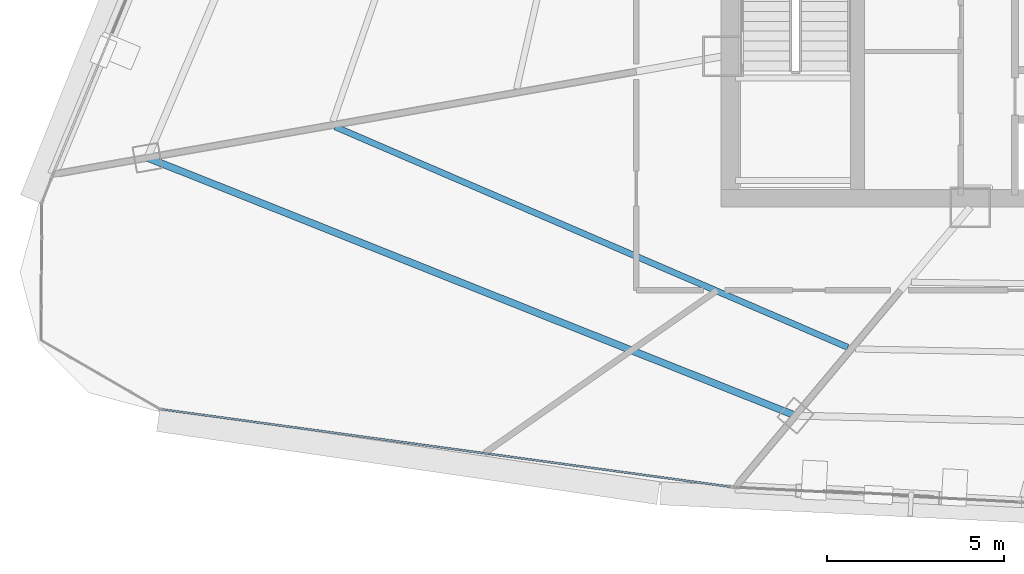
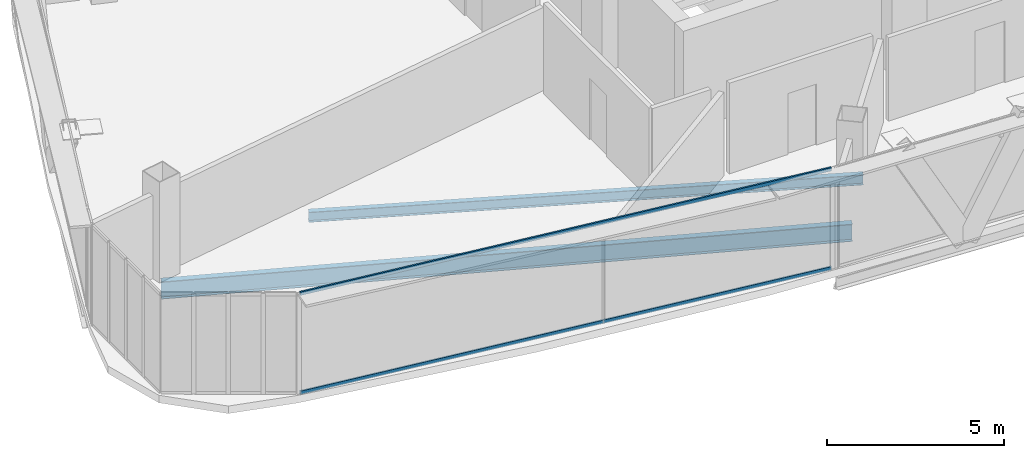
# One storey, part 3 of 39: 2 beams, 2 members, 1 element without a shape of its own.
"""IFC4 building model written with IfcOpenShell, lengths in metres."""

from ifc_helpers import new_model, si_unit, direction, frame, origin, origin_2d, place, context, subcontext, project, spatial, hollow_rectangle, i_section, extrude, source, transform, mapped, material, layer, layer_set, material_profile, profile_set, type_object, element, aggregate, save


model = new_model("IFC4")

# Units and contexts
model_context = context("Model", 3, precision=1e-05, world=origin(), true_north=direction((0.0, 1.0)))
body_context = subcontext(model_context, "Body", "Model", "MODEL_VIEW")
ifc_project = project(units=[si_unit("LENGTHUNIT", "METRE"), si_unit("AREAUNIT", "SQUARE_METRE"), si_unit("VOLUMEUNIT", "CUBIC_METRE"), si_unit("PLANEANGLEUNIT", "RADIAN"), si_unit("MASSUNIT", "GRAM", prefix="KILO"), si_unit("THERMODYNAMICTEMPERATUREUNIT", "KELVIN"), si_unit("POWERUNIT", "WATT")], contexts=[model_context])

# Site, building, storey
site_placement = place(None, origin())
site = spatial("IfcSite", under=ifc_project, at=site_placement, CompositionType="ELEMENT")
building_placement = place(site_placement, origin())
building = spatial("IfcBuilding", under=site, at=building_placement, Name="Yunzhuo Pagoda Commons", CompositionType="ELEMENT")
storey_placement = place(building_placement, frame((0.0, 0.0, 296.2099609375)))
storey = spatial("IfcBuildingStorey", under=building, at=storey_placement, Name="L74", CompositionType="ELEMENT", Elevation=296.2099609375)

# Beams
ifc_material_1 = material(Name="Structural steel Q355B", Category="steel")
ifc_material_profile_1 = material_profile(ifc_material_1, i_section(OverallWidth=0.199951171875, OverallDepth=0.60009765625, WebThickness=0.010986328125, FlangeThickness=0.01708984375, at=origin_2d()), Name="Structural steel Q355B")
ifc_profile_set_1 = profile_set([ifc_material_profile_1], Name="Structural steel Q355B")
beam_type_1 = type_object("IfcBeamType", Name="B-RG3 Beam HN 600x200x11x17", PredefinedType="BEAM", material=ifc_profile_set_1)
shared_shape_1 = source(origin(), body_context, "Body", "SweptSolid", [
    extrude(i_section(OverallWidth=0.199951171875, OverallDepth=0.60009765625, WebThickness=0.010986328125, FlangeThickness=0.01708984375, at=origin_2d()), origin(), (0.0, 0.0, 1.0), 19.70458984375),
])
beam_1_placement = place(storey_placement, frame((19.33837890625, 28.646240234375, -0.56005859375), z_axis=(0.929153602905, -0.369693903396, 0.0), x_axis=(0.369693903396, 0.929153602905, 0.0)))
element("IfcBeam", 1, at=beam_1_placement, inside=storey, type_object=beam_type_1, Name="L74 column-ring beam 12", PredefinedType="BEAM", context=body_context, shape_type="MappedRepresentation", body=[
    mapped(shared_shape_1, transform((0.0, 0.0, 0.0), scale=1.0)),
])
ifc_material_profile_2 = material_profile(ifc_material_1, i_section(OverallWidth=0.175048828125, OverallDepth=0.35009765625, WebThickness=0.007080078125, FlangeThickness=0.010986328125, at=origin_2d()), Name="Structural steel Q355B")
ifc_profile_set_2 = profile_set([ifc_material_profile_2], Name="Structural steel Q355B")
beam_type_2 = type_object("IfcBeamType", Name="B-JS2 Joist HN 350x175x7x11", PredefinedType="JOIST", material=ifc_profile_set_2)
shared_shape_2 = source(origin(), body_context, "Body", "SweptSolid", [
    extrude(i_section(OverallWidth=0.175048828125, OverallDepth=0.35009765625, WebThickness=0.007080078125, FlangeThickness=0.010986328125, at=origin_2d()), origin(), (0.0, 0.0, 1.0), 15.757568359375),
])
beam_2_placement = place(storey_placement, frame((24.647705078125, 29.5185546875, -0.43505859375), z_axis=(0.918597596679, -0.395194199573, 0.0), x_axis=(0.395194199573, 0.918597596679, 0.0)))
element("IfcBeam", 2, at=beam_2_placement, inside=storey, type_object=beam_type_2, Name="L74 composite ring joist 2.12", PredefinedType="JOIST", context=body_context, shape_type="MappedRepresentation", body=[
    mapped(shared_shape_2, transform((0.0, 0.0, 0.0), scale=1.0)),
])

# Curtain wall, members
ifc_material_2 = material(Name="Anodized aluminium 6063-T6", Category="aluminium")
ifc_layer = layer(ifc_material_2, 0.139892578125)
ifc_layer_set = layer_set([ifc_layer], Name="Anodized aluminium 6063-T6")
curtain_wall_type = type_object("IfcCurtainWallType", Name="CW-HI High-Zone Ribbon Curtain Wall", PredefinedType="NOTDEFINED", material=ifc_layer_set)
curtain_wall_placement = place(storey_placement, origin())
curtain_wall = element("IfcCurtainWall", 3, at=curtain_wall_placement, inside=storey, type_object=curtain_wall_type, Name="L74 curtain wall CW-L74-F1B1", PredefinedType="NOTDEFINED")
ifc_material_profile_3 = material_profile(ifc_material_2, hollow_rectangle(XDim=0.054931640625, YDim=0.1201171875, WallThickness=0.00341796875, at=origin_2d()), Name="Anodized aluminium 6063-T6")
ifc_profile_set_3 = profile_set([ifc_material_profile_3], Name="Anodized aluminium 6063-T6")
member_type = type_object("IfcMemberType", Name="CW-HI-T Transom RHS 120x55x3.5", PredefinedType="USERDEFINED", material=ifc_profile_set_3)
shared_shape_3 = source(origin(), body_context, "Body", "SweptSolid", [
    extrude(hollow_rectangle(XDim=0.054931640625, YDim=0.1201171875, WallThickness=0.00341796875, at=origin_2d()), origin(), (0.0, 0.0, 1.0), 16.199462890625),
])
member_1_placement = place(storey_placement, frame((19.759765625, 21.536376953125, 0.027587890625), z_axis=(0.990865442269, -0.134854274376, 0.0), x_axis=(0.134854274376, 0.990865442269, 0.0)))
member_1 = element("IfcMember", 4, at=member_1_placement, type_object=member_type, Name="CW transom 1.1", ObjectType="TRANSOM", PredefinedType="USERDEFINED", context=body_context, shape_type="MappedRepresentation", body=[
    mapped(shared_shape_3, transform((0.0, 0.0, 0.0), scale=1.0)),
])
member_2_placement = place(storey_placement, frame((19.759765625, 21.536376953125, 3.442626953125), z_axis=(0.990865442269, -0.134854274376, 0.0), x_axis=(0.134854274376, 0.990865442269, 0.0)))
member_2 = element("IfcMember", 5, at=member_2_placement, type_object=member_type, Name="CW transom 1.2", ObjectType="TRANSOM", PredefinedType="USERDEFINED", context=body_context, shape_type="MappedRepresentation", body=[
    mapped(shared_shape_3, transform((0.0, 0.0, 0.0), scale=1.0)),
])
aggregate(curtain_wall, [member_1, member_2])

save(model, "model.ifc")
